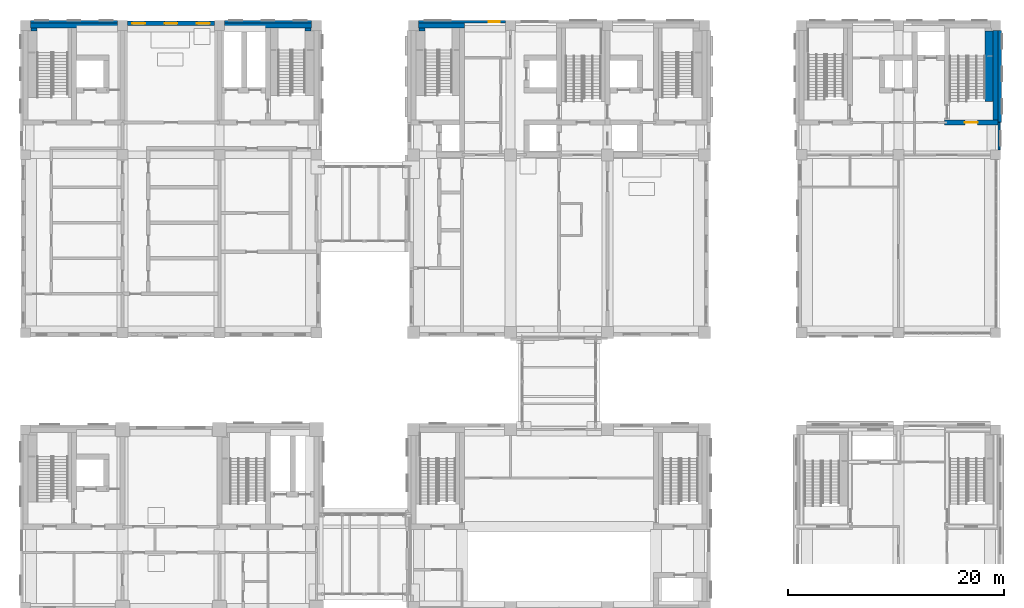
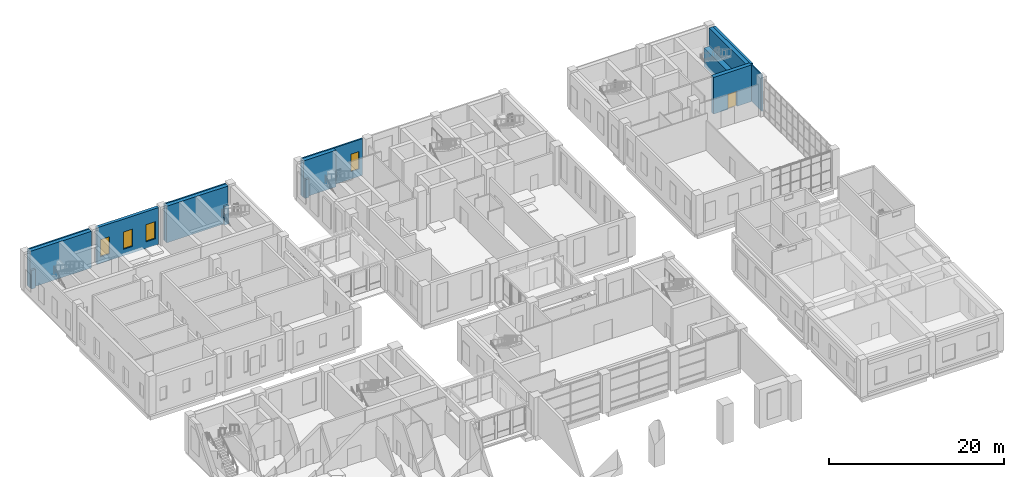
# One storey, part 38 of 52: 15 walls, 4 windows, 1 door, 5 openings.
"""IFC4 building model written with IfcOpenShell, lengths in metres."""

from ifc_helpers import new_model, si_unit, direction, frame, frame_2d, origin, place, context, subcontext, project, spatial, rectangle, extrude, material, layer, layer_set, type_object, element, fill, save


model = new_model("IFC4")

# Units and contexts
model_context = context("Model", 3, precision=1e-05, world=origin(), true_north=direction((0.0, 1.0)))
body_context = subcontext(model_context, "Body", "Model", "MODEL_VIEW")
ifc_project = project(units=[si_unit("LENGTHUNIT", "METRE"), si_unit("AREAUNIT", "SQUARE_METRE"), si_unit("VOLUMEUNIT", "CUBIC_METRE"), si_unit("PLANEANGLEUNIT", "RADIAN"), si_unit("MASSUNIT", "GRAM", prefix="KILO")], contexts=[model_context])

# Site, building, storey
site_placement = place(None, origin())
site = spatial("IfcSite", under=ifc_project, at=site_placement, CompositionType="ELEMENT")
building_placement = place(site_placement, origin())
building = spatial("IfcBuilding", under=site, at=building_placement, Name="Aurelan Courthouse", CompositionType="ELEMENT")
storey_placement = place(building_placement, frame((0.0, 0.0, 6.60009765625)))
storey = spatial("IfcBuildingStorey", under=building, at=storey_placement, Name="L01", CompositionType="ELEMENT", Elevation=6.60009765625)

# Wall, opening, window
ifc_material_1 = material(Name="Granite cladding", Category="masonry")
ifc_layer_1 = layer(ifc_material_1, 0.054931640625, Name="Facing")
ifc_material_2 = material(Name="Ventilated cavity")
ifc_layer_2 = layer(ifc_material_2, 0.02490234375, ventilated=True, Name="Ventilated cavity")
ifc_material_3 = material(Name="Mineral wool insulation")
ifc_layer_3 = layer(ifc_material_3, 0.030029296875, Name="Insulation")
ifc_material_4 = material(Name="Concrete C30", Category="concrete")
ifc_layer_4 = layer(ifc_material_4, 0.090087890625, Name="Structure")
ifc_layer_set_1 = layer_set([ifc_layer_1, ifc_layer_2, ifc_layer_3, ifc_layer_4], Name="Concrete C30")
wall_type_1 = type_object("IfcWallType", Name="Courtroom Block granite-faced wall 200", PredefinedType="SOLIDWALL", material=ifc_layer_set_1)
wall_1_placement = place(storey_placement, frame((36.449951171875, 66.35009765625, 0.0), z_axis=(0.0, 0.0, 1.0), x_axis=(1.0, 0.0, 0.0)))
wall_1 = element("IfcWall", 1, at=wall_1_placement, inside=storey, type_object=wall_type_1, Name="Facade wall FW-V2-L01-003", PredefinedType="SOLIDWALL", context=body_context, shape_type="SweptSolid", body=[
    extrude(rectangle(XDim=8.10009765625, YDim=0.199951171875, at=frame_2d((4.050048828125, 0.0))), origin(), (0.0, 0.0, 1.0), 5.099853515625),
])
opening_1_placement = place(wall_1_placement, frame((6.52490234375, 0.0, 1.050048828125)))
opening_1 = element("IfcOpeningElement", 2, at=opening_1_placement, cuts=wall_1, Name="Opening WN-V2-L01-005", PredefinedType="OPENING", context=body_context, shape_type="SweptSolid", body=[
    extrude(rectangle(XDim=1.050048828125, YDim=2.39990234375, at=frame_2d((0.52490234375, 1.199951171875))), frame((0.0, 0.10986328125, 0.0), z_axis=(0.0, -1.0, 0.0), x_axis=(1.0, 0.0, 0.0)), (0.0, 0.0, 1.0), 0.219970703125),
])
ifc_material_5 = material(Name="Bronze-finished aluminium and glass", Category="aluminium")
window_type_1 = type_object("IfcWindowType", Name="Courtroom Block window 1050 x 2400, sill 1050", PartitioningType="SINGLE_PANEL", PredefinedType="WINDOW", material=ifc_material_5)
window_1_placement = place(opening_1_placement, origin())
window_1 = element("IfcWindow", 3, at=window_1_placement, inside=storey, type_object=window_type_1, Name="Window WN-V2-L01-005", OverallHeight=2.39990234375, OverallWidth=1.050048828125, PartitioningType="SINGLE_PANEL", PredefinedType="WINDOW", context=body_context, shape_type="SweptSolid", body=[
    extrude(rectangle(XDim=1.050048828125, YDim=2.39990234375, at=frame_2d((0.52490234375, 1.199951171875))), frame((0.0, 0.030029296875, 0.0), z_axis=(0.0, -1.0, 0.0), x_axis=(1.0, 0.0, 0.0)), (0.0, 0.0, 1.0), 0.06005859375),
])
fill(opening_1, window_1)

# Walls
ifc_layer_5 = layer(ifc_material_1, 0.054931640625, Name="Facing")
ifc_layer_6 = layer(ifc_material_2, 0.02490234375, ventilated=True, Name="Ventilated cavity")
ifc_layer_7 = layer(ifc_material_3, 0.030029296875, Name="Insulation")
ifc_layer_8 = layer(ifc_material_4, 0.090087890625, Name="Structure")
ifc_layer_set_2 = layer_set([ifc_layer_5, ifc_layer_6, ifc_layer_7, ifc_layer_8], Name="Concrete C30")
wall_type_2 = type_object("IfcWallType", Name="Custody Suite granite-faced wall 200", PredefinedType="SOLIDWALL", material=ifc_layer_set_2)
for number, where, z_axis, x_axis, name in (
    (4, (0.449951171875, 66.35009765625, 0.0), (0.0, 0.0, 1.0), (1.0, 0.0, 0.0), "Facade wall FW-V6-L01-004"),
    (5, (18.449951171875, 66.35009765625, 0.0), (0.0, 0.0, 1.0), (1.0, 0.0, 0.0), "Facade wall FW-V6-L01-006"),
):
    element("IfcWall", number, at=place(storey_placement, frame(where, z_axis=z_axis, x_axis=x_axis)), inside=storey, type_object=wall_type_2, Name=name, PredefinedType="SOLIDWALL", context=body_context, shape_type="SweptSolid", body=[
        extrude(rectangle(XDim=8.10009765625, YDim=0.199951171875, at=frame_2d((4.050048828125, 0.0))), origin(), (0.0, 0.0, 1.0), 5.099853515625),
    ])

# Wall, openings, windows
ifc_layer_9 = layer(ifc_material_1, 0.114990234375, Name="Facing")
ifc_layer_10 = layer(ifc_material_2, 0.02490234375, ventilated=True, Name="Ventilated cavity")
ifc_layer_11 = layer(ifc_material_3, 0.054931640625, Name="Insulation")
ifc_layer_12 = layer(ifc_material_4, 0.205078125, Name="Structure")
ifc_layer_set_3 = layer_set([ifc_layer_9, ifc_layer_10, ifc_layer_11, ifc_layer_12], Name="Concrete C30")
wall_type_3 = type_object("IfcWallType", Name="Custody Suite granite-faced wall 400", PredefinedType="SOLIDWALL", material=ifc_layer_set_3)
wall_2_placement = place(storey_placement, frame((9.449951171875, 66.199951171875, 0.0), z_axis=(0.0, 0.0, 1.0), x_axis=(1.0, 0.0, 0.0)))
wall_2 = element("IfcWall", 6, at=wall_2_placement, inside=storey, type_object=wall_type_3, Name="Facade wall FW-V6-L01-005", PredefinedType="SOLIDWALL", context=body_context, shape_type="SweptSolid", body=[
    extrude(rectangle(XDim=8.10009765625, YDim=0.39990234375, at=frame_2d((4.050048828125, 0.0))), origin(), (0.0, 0.0, 1.0), 5.099853515625),
])
opening_2_placement = place(wall_2_placement, frame((0.449951171875, 0.0, 0.89990234375)))
opening_2 = element("IfcOpeningElement", 7, at=opening_2_placement, cuts=wall_2, Name="Opening WN-V6-L01-011", PredefinedType="OPENING", context=body_context, shape_type="SweptSolid", body=[
    extrude(rectangle(XDim=1.199951171875, YDim=2.39990234375, at=frame_2d((0.60009765625, 1.199951171875))), frame((0.0, 0.2099609375, 0.0), z_axis=(0.0, -1.0, 0.0), x_axis=(1.0, 0.0, 0.0)), (0.0, 0.0, 1.0), 0.419921875),
])
opening_3_placement = place(wall_2_placement, frame((3.449951171875, 0.0, 0.89990234375)))
opening_3 = element("IfcOpeningElement", 8, at=opening_3_placement, cuts=wall_2, Name="Opening WN-V6-L01-012", PredefinedType="OPENING", context=body_context, shape_type="SweptSolid", body=[
    extrude(rectangle(XDim=1.199951171875, YDim=2.39990234375, at=frame_2d((0.60009765625, 1.199951171875))), frame((0.0, 0.2099609375, 0.0), z_axis=(0.0, -1.0, 0.0), x_axis=(1.0, 0.0, 0.0)), (0.0, 0.0, 1.0), 0.419921875),
])
opening_4_placement = place(wall_2_placement, frame((6.449951171875, 0.0, 0.89990234375)))
opening_4 = element("IfcOpeningElement", 9, at=opening_4_placement, cuts=wall_2, Name="Opening WN-V6-L01-013", PredefinedType="OPENING", context=body_context, shape_type="SweptSolid", body=[
    extrude(rectangle(XDim=1.199951171875, YDim=2.39990234375, at=frame_2d((0.60009765625, 1.199951171875))), frame((0.0, 0.2099609375, 0.0), z_axis=(0.0, -1.0, 0.0), x_axis=(1.0, 0.0, 0.0)), (0.0, 0.0, 1.0), 0.419921875),
])
window_type_2 = type_object("IfcWindowType", Name="Custody Suite glazed slot 1200 x 2400, sill 900", PartitioningType="SINGLE_PANEL", PredefinedType="WINDOW", material=ifc_material_5)
window_2_placement = place(opening_2_placement, origin())
window_2 = element("IfcWindow", 10, at=window_2_placement, inside=storey, type_object=window_type_2, Name="Glazed slot WN-V6-L01-011", OverallHeight=2.39990234375, OverallWidth=1.199951171875, PartitioningType="SINGLE_PANEL", PredefinedType="WINDOW", context=body_context, shape_type="SweptSolid", body=[
    extrude(rectangle(XDim=1.199951171875, YDim=2.39990234375, at=frame_2d((0.60009765625, 1.199951171875))), frame((0.0, 0.030029296875, 0.0), z_axis=(0.0, -1.0, 0.0), x_axis=(1.0, 0.0, 0.0)), (0.0, 0.0, 1.0), 0.06005859375),
])
fill(opening_2, window_2)
window_3_placement = place(opening_3_placement, origin())
window_3 = element("IfcWindow", 11, at=window_3_placement, inside=storey, type_object=window_type_2, Name="Glazed slot WN-V6-L01-012", OverallHeight=2.39990234375, OverallWidth=1.199951171875, PartitioningType="SINGLE_PANEL", PredefinedType="WINDOW", context=body_context, shape_type="SweptSolid", body=[
    extrude(rectangle(XDim=1.199951171875, YDim=2.39990234375, at=frame_2d((0.60009765625, 1.199951171875))), frame((0.0, 0.030029296875, 0.0), z_axis=(0.0, -1.0, 0.0), x_axis=(1.0, 0.0, 0.0)), (0.0, 0.0, 1.0), 0.06005859375),
])
fill(opening_3, window_3)
window_4_placement = place(opening_4_placement, origin())
window_4 = element("IfcWindow", 12, at=window_4_placement, inside=storey, type_object=window_type_2, Name="Glazed slot WN-V6-L01-013", OverallHeight=2.39990234375, OverallWidth=1.199951171875, PartitioningType="SINGLE_PANEL", PredefinedType="WINDOW", context=body_context, shape_type="SweptSolid", body=[
    extrude(rectangle(XDim=1.199951171875, YDim=2.39990234375, at=frame_2d((0.60009765625, 1.199951171875))), frame((0.0, 0.030029296875, 0.0), z_axis=(0.0, -1.0, 0.0), x_axis=(1.0, 0.0, 0.0)), (0.0, 0.0, 1.0), 0.06005859375),
])
fill(opening_4, window_4)

# Walls
ifc_layer_13 = layer(ifc_material_1, 0.050048828125, Name="Facing")
ifc_layer_14 = layer(ifc_material_2, 0.02490234375, ventilated=True, Name="Ventilated cavity")
ifc_layer_15 = layer(ifc_material_3, 0.02490234375, Name="Insulation")
ifc_layer_16 = layer(ifc_material_4, 0.070068359375, Name="Structure")
ifc_layer_set_4 = layer_set([ifc_layer_13, ifc_layer_14, ifc_layer_15, ifc_layer_16], Name="Concrete C30")
wall_type_4 = type_object("IfcWallType", Name="Law Library granite-faced wall 170", PredefinedType="SOLIDWALL", material=ifc_layer_set_4)
wall_3_placement = place(storey_placement, frame((90.3349609375, 54.449951171875, 0.0), z_axis=(0.0, 0.0, 1.0), x_axis=(0.0, 1.0, 0.0)))
element("IfcWall", 13, at=wall_3_placement, inside=storey, type_object=wall_type_4, Name="Facade wall FW-V3-L01-004", PredefinedType="SOLIDWALL", context=body_context, shape_type="SweptSolid", body=[
    extrude(rectangle(XDim=2.550048828125, YDim=0.169921875, at=frame_2d((1.27490234375, 0.0))), origin(), (0.0, 0.0, 1.0), 5.099853515625),
])
ifc_layer_17 = layer(ifc_material_1, 0.090087890625, Name="Facing")
ifc_layer_18 = layer(ifc_material_2, 0.02490234375, ventilated=True, Name="Ventilated cavity")
ifc_layer_19 = layer(ifc_material_3, 0.044921875, Name="Insulation")
ifc_layer_20 = layer(ifc_material_4, 0.159912109375, Name="Structure")
ifc_layer_set_5 = layer_set([ifc_layer_17, ifc_layer_18, ifc_layer_19, ifc_layer_20], Name="Concrete C30")
wall_type_5 = type_object("IfcWallType", Name="Law Library granite-faced wall 320", PredefinedType="SOLIDWALL", material=ifc_layer_set_5)
wall_4_placement = place(storey_placement, frame((90.409912109375, 57.0, 0.0), z_axis=(0.0, 0.0, 1.0), x_axis=(0.0, 1.0, 0.0)))
element("IfcWall", 14, at=wall_4_placement, inside=storey, type_object=wall_type_5, Name="Facade wall FW-V3-L01-005", PredefinedType="SOLIDWALL", context=body_context, shape_type="SweptSolid", body=[
    extrude(rectangle(XDim=8.550048828125, YDim=0.320068359375, at=frame_2d((4.27490234375, 0.0))), origin(), (0.0, 0.0, 1.0), 5.099853515625),
])

# Wall, opening, door
ifc_material_6 = material(Name="Concrete C50", Category="concrete")
ifc_layer_21 = layer(ifc_material_6, 0.5)
ifc_layer_set_6 = layer_set([ifc_layer_21], Name="Concrete C50")
wall_type_6 = type_object("IfcWallType", Name="RC shear wall 500", PredefinedType="SHEAR", material=ifc_layer_set_6)
wall_5_placement = place(storey_placement, frame((85.25, 57.0, 0.0), z_axis=(0.0, 0.0, 1.0), x_axis=(1.0, 0.0, 0.0)))
wall_5 = element("IfcWall", 15, at=wall_5_placement, inside=storey, type_object=wall_type_6, Name="Core wall SW-L01-053", PredefinedType="SHEAR", context=body_context, shape_type="SweptSolid", body=[
    extrude(rectangle(XDim=5.0, YDim=0.5, at=frame_2d((2.5, 0.0))), origin(), (0.0, 0.0, 1.0), 5.099853515625),
])
opening_5_placement = place(wall_5_placement, frame((1.89990234375, 0.0, 0.0)))
opening_5 = element("IfcOpeningElement", 16, at=opening_5_placement, cuts=wall_5, Name="Opening D-L01-048", PredefinedType="OPENING", context=body_context, shape_type="SweptSolid", body=[
    extrude(rectangle(XDim=1.199951171875, YDim=2.10009765625, at=frame_2d((0.60009765625, 1.050048828125))), frame((0.0, 0.260009765625, 0.0), z_axis=(0.0, -1.0, 0.0), x_axis=(1.0, 0.0, 0.0)), (0.0, 0.0, 1.0), 0.52001953125),
])
ifc_material_7 = material(Name="Steel", Category="steel")
door_type = type_object("IfcDoorType", Name="Single door 1200 x 2100 FD90", OperationType="SINGLE_SWING_LEFT", PredefinedType="DOOR", material=ifc_material_7)
door_placement = place(opening_5_placement, origin())
door = element("IfcDoor", 17, at=door_placement, inside=storey, type_object=door_type, Name="Single door D-L01-048", OperationType="SINGLE_SWING_LEFT", OverallHeight=2.10009765625, OverallWidth=1.199951171875, PredefinedType="DOOR", context=body_context, shape_type="SweptSolid", body=[
    extrude(rectangle(XDim=1.199951171875, YDim=2.10009765625, at=frame_2d((0.60009765625, 1.050048828125))), frame((0.0, 0.02490234375, 0.0), z_axis=(0.0, -1.0, 0.0), x_axis=(1.0, 0.0, 0.0)), (0.0, 0.0, 1.0), 0.050048828125),
])
fill(opening_5, door)

# Walls
wall_6_placement = place(storey_placement, frame((90.0, 57.25, 0.0), z_axis=(0.0, 0.0, 1.0), x_axis=(0.0, 1.0, 0.0)))
element("IfcWall", 18, at=wall_6_placement, inside=storey, type_object=wall_type_6, Name="Core wall SW-L01-066", PredefinedType="SHEAR", context=body_context, shape_type="SweptSolid", body=[
    extrude(rectangle(XDim=8.300048828125, YDim=0.5, at=frame_2d((4.14990234375, 0.0))), origin(), (0.0, 0.0, 1.0), 5.099853515625),
])
for number, where, z_axis, x_axis, name in (
    (19, (0.449951171875, 66.0, 0.0), (0.0, 0.0, 1.0), (1.0, 0.0, 0.0), "Core wall SW-L01-082"),
    (20, (18.449951171875, 66.0, 0.0), (0.0, 0.0, 1.0), (1.0, 0.0, 0.0), "Core wall SW-L01-083"),
):
    element("IfcWall", number, at=place(storey_placement, frame(where, z_axis=z_axis, x_axis=x_axis)), inside=storey, type_object=wall_type_6, Name=name, PredefinedType="SHEAR", context=body_context, shape_type="SweptSolid", body=[
        extrude(rectangle(XDim=8.10009765625, YDim=0.5, at=frame_2d((4.050048828125, 0.0))), origin(), (0.0, 0.0, 1.0), 5.099853515625),
    ])
wall_7_placement = place(storey_placement, frame((36.449951171875, 66.0, 0.0), z_axis=(0.0, 0.0, 1.0), x_axis=(1.0, 0.0, 0.0)))
element("IfcWall", 21, at=wall_7_placement, inside=storey, type_object=wall_type_6, Name="Core wall SW-L01-084", PredefinedType="SHEAR", context=body_context, shape_type="SweptSolid", body=[
    extrude(rectangle(XDim=4.300048828125, YDim=0.5, at=frame_2d((2.14990234375, 0.0))), origin(), (0.0, 0.0, 1.0), 5.099853515625),
])
ifc_layer_22 = layer(ifc_material_4, 0.56005859375)
ifc_layer_set_7 = layer_set([ifc_layer_22], Name="Concrete C30")
wall_type_7 = type_object("IfcWallType", Name="Stair well wall 560 EI 120 load-bearing", PredefinedType="SHEAR", material=ifc_layer_set_7)
for number, where, z_axis, x_axis, name in (
    (22, (36.780029296875, 65.5, 0.0), (0.0, 0.0, 1.0), (0.0, 1.0, 0.0), "Stair well wall CS-2-L01 A2"),
    (23, (26.219970703125, 65.5, 0.0), (0.0, 0.0, 1.0), (0.0, 1.0, 0.0), "Stair well wall CS-6-L01 B2"),
    (24, (0.780029296875, 65.5, 0.0), (0.0, 0.0, 1.0), (0.0, 1.0, 0.0), "Stair well wall ST-6-L01 A2"),
):
    element("IfcWall", number, at=place(storey_placement, frame(where, z_axis=z_axis, x_axis=x_axis)), inside=storey, type_object=wall_type_7, Name=name, PredefinedType="SHEAR", context=body_context, shape_type="SweptSolid", body=[
        extrude(rectangle(XDim=0.25, YDim=0.56005859375, at=frame_2d((0.125, 0.0))), origin(), (0.0, 0.0, 1.0), 2.5869140625),
    ])
ifc_layer_23 = layer(ifc_material_4, 0.699951171875)
ifc_layer_set_8 = layer_set([ifc_layer_23], Name="Concrete C30")
wall_type_8 = type_object("IfcWallType", Name="Stair well wall 700 EI 120 load-bearing", PredefinedType="SHEAR", material=ifc_layer_set_8)
wall_8_placement = place(storey_placement, frame((89.39990234375, 58.9599609375, 0.0), z_axis=(0.0, 0.0, 1.0), x_axis=(0.0, 1.0, 0.0)))
element("IfcWall", 25, at=wall_8_placement, inside=storey, type_object=wall_type_8, Name="Stair well wall ST-3B-L01 B", PredefinedType="SHEAR", context=body_context, shape_type="SweptSolid", body=[
    extrude(rectangle(XDim=6.5400390625, YDim=0.699951171875, at=frame_2d((3.27001953125, 0.0))), origin(), (0.0, 0.0, 1.0), 2.5869140625),
])

save(model, "model.ifc")
